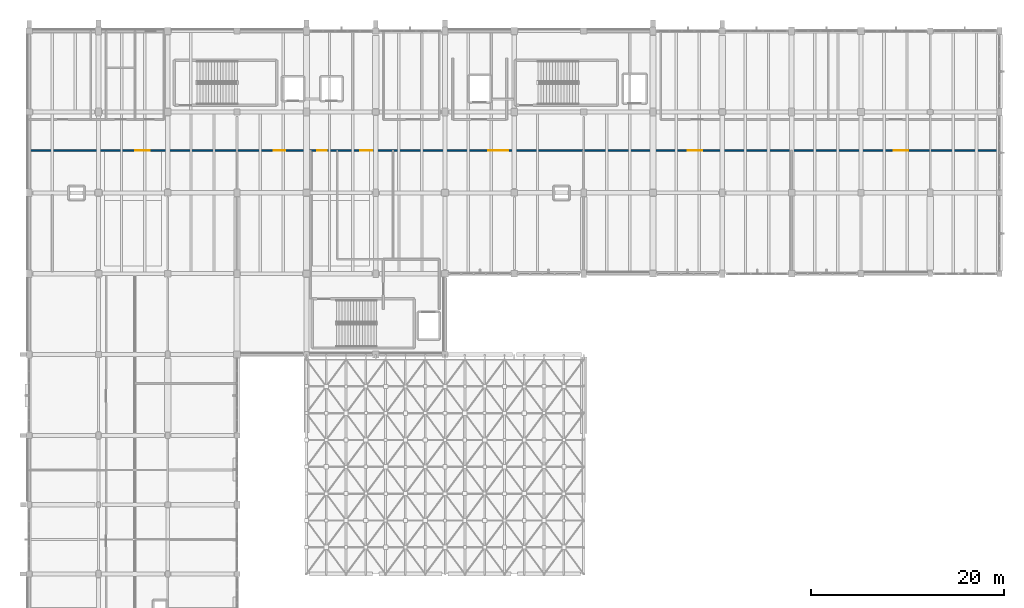
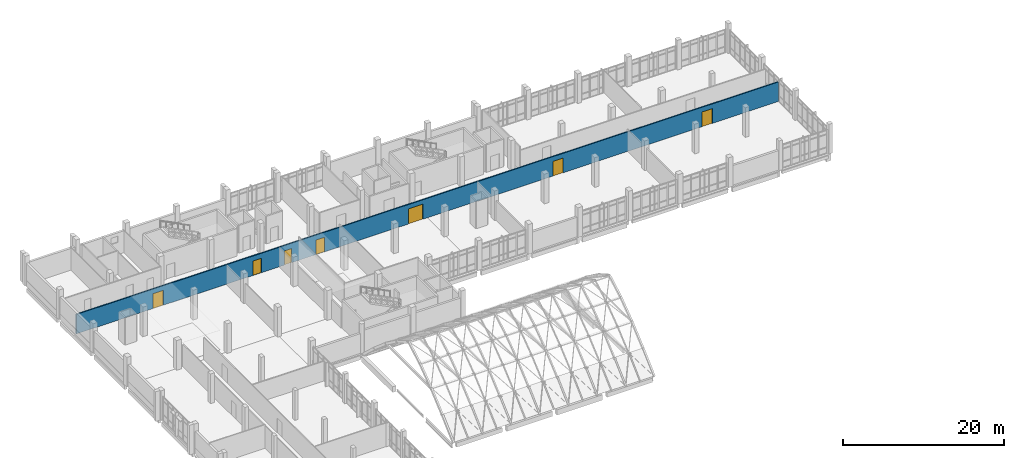
# One storey, part 77 of 87: 7 doors, 1 wall, 7 openings.
"""IFC4 building model written with IfcOpenShell, lengths in metres."""

from ifc_helpers import new_model, si_unit, direction, frame, frame_2d, origin, place, context, subcontext, project, spatial, rectangle, extrude, material, layer, layer_set, type_object, element, fill, save


model = new_model("IFC4")

# Units and contexts
model_context = context("Model", 3, precision=1e-05, world=origin(), true_north=direction((0.0, 1.0)))
body_context = subcontext(model_context, "Body", "Model", "MODEL_VIEW")
ifc_project = project(units=[si_unit("LENGTHUNIT", "METRE"), si_unit("AREAUNIT", "SQUARE_METRE"), si_unit("VOLUMEUNIT", "CUBIC_METRE"), si_unit("PLANEANGLEUNIT", "RADIAN"), si_unit("MASSUNIT", "GRAM", prefix="KILO")], contexts=[model_context])

# Site, building, storey
site_placement = place(None, origin())
site = spatial("IfcSite", under=ifc_project, at=site_placement, CompositionType="ELEMENT")
building_placement = place(site_placement, origin())
building = spatial("IfcBuilding", under=site, at=building_placement, Name="Kalluvel Institute of Natural Sciences", CompositionType="ELEMENT")
storey_placement = place(building_placement, frame((0.0, 0.0, 18.89990234375)))
storey = spatial("IfcBuildingStorey", under=building, at=storey_placement, Name="L04", CompositionType="ELEMENT", Elevation=18.89990234375)

# Wall, openings, doors
ifc_material_1 = material(Name="Autoclaved Aerated Concrete Masonry Block", Category="masonry")
ifc_layer = layer(ifc_material_1, 0.159912109375)
ifc_layer_set = layer_set([ifc_layer], Name="Autoclaved Aerated Concrete Masonry Block")
wall_type = type_object("IfcWallType", Name="WL-PART-160", PredefinedType="PARTITIONING", material=ifc_layer_set)
wall_placement = place(storey_placement, frame((14.0, 115.60009765625, 0.0), z_axis=(0.0, 0.0, 1.0), x_axis=(1.0, 0.0, 0.0)))
wall = element("IfcWall", 1, at=wall_placement, inside=storey, type_object=wall_type, Name="L04 interior partition wall WL-INT-L04-0225", PredefinedType="PARTITIONING", context=body_context, shape_type="SweptSolid", body=[
    extrude(rectangle(XDim=100.800048828125, YDim=0.159912109375, at=frame_2d((50.39990234375, 0.0))), origin(), (0.0, 0.0, 1.0), 2.960205078125),
])
opening_1_placement = place(wall_placement, frame((29.89990234375, 0.0, 0.0)))
opening_1 = element("IfcOpeningElement", 2, at=opening_1_placement, cuts=wall, Name="Opening D-177", PredefinedType="OPENING", context=body_context, shape_type="SweptSolid", body=[
    extrude(rectangle(XDim=1.0, YDim=2.14990234375, at=frame_2d((0.5, 1.074951171875))), frame((0.0, 0.08984375, 0.0), z_axis=(0.0, -1.0, 0.0), x_axis=(1.0, 0.0, 0.0)), (0.0, 0.0, 1.0), 0.179931640625),
])
opening_2_placement = place(wall_placement, frame((11.0, 0.0, 0.0)))
opening_2 = element("IfcOpeningElement", 3, at=opening_2_placement, cuts=wall, Name="Opening D-178", PredefinedType="OPENING", context=body_context, shape_type="SweptSolid", body=[
    extrude(rectangle(XDim=1.5, YDim=2.25, at=frame_2d((0.75, 1.125))), frame((0.0, 0.08984375, 0.0), z_axis=(0.0, -1.0, 0.0), x_axis=(1.0, 0.0, 0.0)), (0.0, 0.0, 1.0), 0.179931640625),
])
opening_3_placement = place(wall_placement, frame((25.39990234375, 0.0, 0.0)))
opening_3 = element("IfcOpeningElement", 4, at=opening_3_placement, cuts=wall, Name="Opening D-179", PredefinedType="OPENING", context=body_context, shape_type="SweptSolid", body=[
    extrude(rectangle(XDim=1.179931640625, YDim=2.199951171875, at=frame_2d((0.58984375, 1.10009765625))), frame((0.0, 0.08984375, 0.0), z_axis=(0.0, -1.0, 0.0), x_axis=(1.0, 0.0, 0.0)), (0.0, 0.0, 1.0), 0.179931640625),
])
opening_4_placement = place(wall_placement, frame((34.39990234375, 0.0, 0.0)))
opening_4 = element("IfcOpeningElement", 5, at=opening_4_placement, cuts=wall, Name="Opening D-180", PredefinedType="OPENING", context=body_context, shape_type="SweptSolid", body=[
    extrude(rectangle(XDim=1.25, YDim=2.199951171875, at=frame_2d((0.625, 1.10009765625))), frame((0.0, 0.08984375, 0.0), z_axis=(0.0, -1.0, 0.0), x_axis=(1.0, 0.0, 0.0)), (0.0, 0.0, 1.0), 0.179931640625),
])
opening_5_placement = place(wall_placement, frame((47.699951171875, 0.0, 0.0)))
opening_5 = element("IfcOpeningElement", 6, at=opening_5_placement, cuts=wall, Name="Opening D-181", PredefinedType="OPENING", context=body_context, shape_type="SweptSolid", body=[
    extrude(rectangle(XDim=2.050048828125, YDim=2.300048828125, at=frame_2d((1.02490234375, 1.14990234375))), frame((0.0, 0.08984375, 0.0), z_axis=(0.0, -1.0, 0.0), x_axis=(1.0, 0.0, 0.0)), (0.0, 0.0, 1.0), 0.179931640625),
])
opening_6_placement = place(wall_placement, frame((68.39990234375, 0.0, 0.0)))
opening_6 = element("IfcOpeningElement", 7, at=opening_6_placement, cuts=wall, Name="Opening D-182", PredefinedType="OPENING", context=body_context, shape_type="SweptSolid", body=[
    extrude(rectangle(XDim=1.5, YDim=2.25, at=frame_2d((0.75, 1.125))), frame((0.0, 0.08984375, 0.0), z_axis=(0.0, -1.0, 0.0), x_axis=(1.0, 0.0, 0.0)), (0.0, 0.0, 1.0), 0.179931640625),
])
opening_7_placement = place(wall_placement, frame((89.800048828125, 0.0, 0.0)))
opening_7 = element("IfcOpeningElement", 8, at=opening_7_placement, cuts=wall, Name="Opening D-183", PredefinedType="OPENING", context=body_context, shape_type="SweptSolid", body=[
    extrude(rectangle(XDim=1.5, YDim=2.25, at=frame_2d((0.75, 1.125))), frame((0.0, 0.08984375, 0.0), z_axis=(0.0, -1.0, 0.0), x_axis=(1.0, 0.0, 0.0)), (0.0, 0.0, 1.0), 0.179931640625),
])
ifc_material_2 = material(Name="Aluminium AW-6063 T6", Category="aluminium")
door_type_1 = type_object("IfcDoorType", Name="DR-DBL-2050", OperationType="NOTDEFINED", PredefinedType="DOOR", material=ifc_material_2)
door_1_placement = place(opening_5_placement, origin())
door_1 = element("IfcDoor", 9, at=door_1_placement, inside=storey, type_object=door_type_1, Name="Geochemistry Inductively Coupled Plasma Suite door D-181", OperationType="DOUBLE_DOOR_SINGLE_SWING", OverallHeight=2.300048828125, OverallWidth=2.050048828125, PredefinedType="DOOR", context=body_context, shape_type="SweptSolid", body=[
    extrude(rectangle(XDim=2.050048828125, YDim=2.300048828125, at=frame_2d((1.02490234375, 1.14990234375))), frame((0.0, 0.02490234375, 0.0), z_axis=(0.0, -1.0, 0.0), x_axis=(1.0, 0.0, 0.0)), (0.0, 0.0, 1.0), 0.050048828125),
])
fill(opening_5, door_1)
ifc_material_3 = material(Name="Engineered Hardwood Acoustic Leaf", Category="wood")
door_type_2 = type_object("IfcDoorType", Name="DR-INT-1000", OperationType="NOTDEFINED", PredefinedType="DOOR", material=ifc_material_3)
door_2_placement = place(opening_1_placement, origin())
door_2 = element("IfcDoor", 10, at=door_2_placement, inside=storey, type_object=door_type_2, Name="L04 Knuckle to Spine door D-177", OperationType="SINGLE_SWING_RIGHT", OverallHeight=2.14990234375, OverallWidth=1.0, PredefinedType="DOOR", context=body_context, shape_type="SweptSolid", body=[
    extrude(rectangle(XDim=1.0, YDim=2.14990234375, at=frame_2d((0.5, 1.074951171875))), frame((0.0, 0.02490234375, 0.0), z_axis=(0.0, -1.0, 0.0), x_axis=(1.0, 0.0, 0.0)), (0.0, 0.0, 1.0), 0.050048828125),
])
fill(opening_1, door_2)
door_type_3 = type_object("IfcDoorType", Name="DR-INT-1180", OperationType="NOTDEFINED", PredefinedType="DOOR", material=ifc_material_3)
door_3_placement = place(opening_3_placement, origin())
door_3 = element("IfcDoor", 11, at=door_3_placement, inside=storey, type_object=door_type_3, Name="Paleoclimate Sediment Stratigraphy Wet Laboratory door D-179", OperationType="SINGLE_SWING_RIGHT", OverallHeight=2.199951171875, OverallWidth=1.179931640625, PredefinedType="DOOR", context=body_context, shape_type="SweptSolid", body=[
    extrude(rectangle(XDim=1.179931640625, YDim=2.199951171875, at=frame_2d((0.58984375, 1.10009765625))), frame((0.0, 0.02490234375, 0.0), z_axis=(0.0, -1.0, 0.0), x_axis=(1.0, 0.0, 0.0)), (0.0, 0.0, 1.0), 0.050048828125),
])
fill(opening_3, door_3)
door_type_4 = type_object("IfcDoorType", Name="DR-INT-1250", OperationType="NOTDEFINED", PredefinedType="DOOR", material=ifc_material_3)
door_4_placement = place(opening_4_placement, origin())
door_4 = element("IfcDoor", 12, at=door_4_placement, inside=storey, type_object=door_type_4, Name="Isotope Stratigraphy Preparation Laboratory door D-180", OperationType="SINGLE_SWING_LEFT", OverallHeight=2.199951171875, OverallWidth=1.25, PredefinedType="DOOR", context=body_context, shape_type="SweptSolid", body=[
    extrude(rectangle(XDim=1.25, YDim=2.199951171875, at=frame_2d((0.625, 1.10009765625))), frame((0.0, 0.02490234375, 0.0), z_axis=(0.0, -1.0, 0.0), x_axis=(1.0, 0.0, 0.0)), (0.0, 0.0, 1.0), 0.050048828125),
])
fill(opening_4, door_4)
door_type_5 = type_object("IfcDoorType", Name="DR-LAB-1500", OperationType="NOTDEFINED", PredefinedType="DOOR", material=ifc_material_2)
door_5_placement = place(opening_2_placement, origin())
door_5 = element("IfcDoor", 13, at=door_5_placement, inside=storey, type_object=door_type_5, Name="Atmospheric Aerosol Chemistry Wet Laboratory door D-178", OperationType="DOUBLE_DOOR_SINGLE_SWING", OverallHeight=2.25, OverallWidth=1.5, PredefinedType="DOOR", context=body_context, shape_type="SweptSolid", body=[
    extrude(rectangle(XDim=1.5, YDim=2.25, at=frame_2d((0.75, 1.125))), frame((0.0, 0.02490234375, 0.0), z_axis=(0.0, -1.0, 0.0), x_axis=(1.0, 0.0, 0.0)), (0.0, 0.0, 1.0), 0.050048828125),
])
fill(opening_2, door_5)
door_6_placement = place(opening_6_placement, origin())
door_6 = element("IfcDoor", 14, at=door_6_placement, inside=storey, type_object=door_type_5, Name="Hydrogeology Tracer Wet Laboratory door D-182", OperationType="DOUBLE_DOOR_SINGLE_SWING", OverallHeight=2.25, OverallWidth=1.5, PredefinedType="DOOR", context=body_context, shape_type="SweptSolid", body=[
    extrude(rectangle(XDim=1.5, YDim=2.25, at=frame_2d((0.75, 1.125))), frame((0.0, 0.02490234375, 0.0), z_axis=(0.0, -1.0, 0.0), x_axis=(1.0, 0.0, 0.0)), (0.0, 0.0, 1.0), 0.050048828125),
])
fill(opening_6, door_6)
door_7_placement = place(opening_7_placement, origin())
door_7 = element("IfcDoor", 15, at=door_7_placement, inside=storey, type_object=door_type_5, Name="Mineralogy Thin-Section Workshop and Seminar Room door D-183", OperationType="DOUBLE_DOOR_SINGLE_SWING", OverallHeight=2.25, OverallWidth=1.5, PredefinedType="DOOR", context=body_context, shape_type="SweptSolid", body=[
    extrude(rectangle(XDim=1.5, YDim=2.25, at=frame_2d((0.75, 1.125))), frame((0.0, 0.02490234375, 0.0), z_axis=(0.0, -1.0, 0.0), x_axis=(1.0, 0.0, 0.0)), (0.0, 0.0, 1.0), 0.050048828125),
])
fill(opening_7, door_7)

save(model, "model.ifc")
